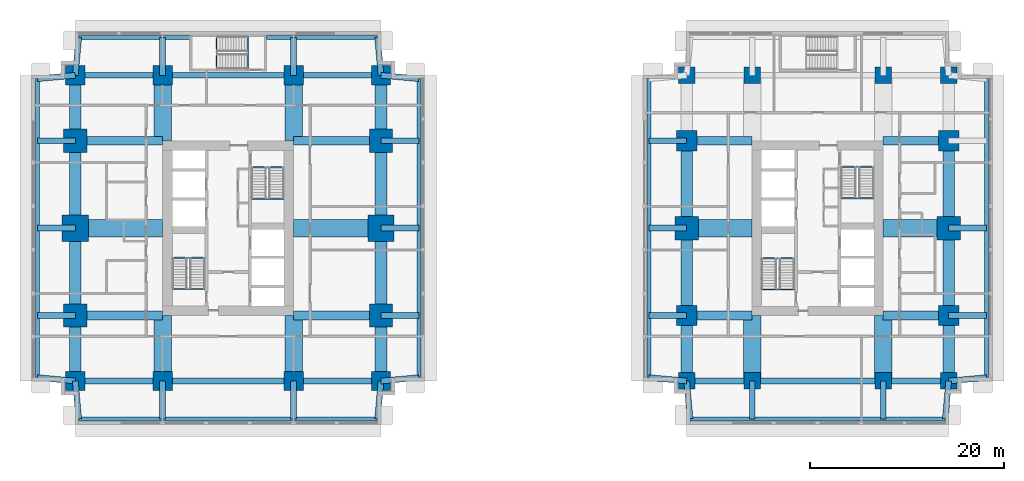
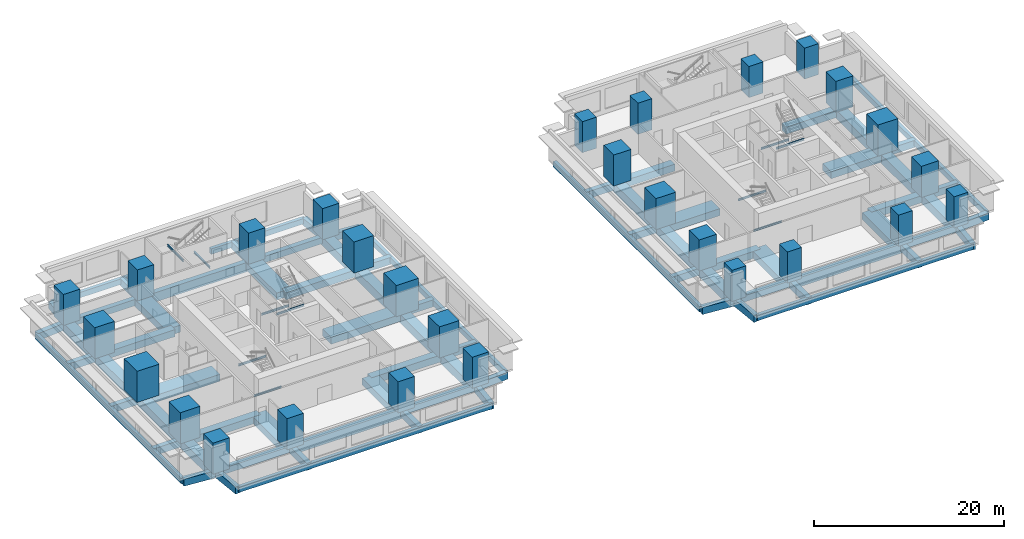
# One storey, part 1 of 11: 88 beams, 28 columns.
"""IFC4 building model written with IfcOpenShell, lengths in metres."""

from ifc_helpers import new_model, si_unit, direction, frame, origin, origin_2d, place, context, subcontext, project, spatial, rectangle, i_section, extrude, material, material_profile, profile_set, type_object, element, save


model = new_model("IFC4")

# Units and contexts
model_context = context("Model", 3, precision=1e-05, world=origin(), true_north=direction((0.0, 1.0)))
body_context = subcontext(model_context, "Body", "Model", "MODEL_VIEW")
ifc_project = project(units=[si_unit("LENGTHUNIT", "METRE"), si_unit("AREAUNIT", "SQUARE_METRE"), si_unit("VOLUMEUNIT", "CUBIC_METRE"), si_unit("PLANEANGLEUNIT", "RADIAN"), si_unit("MASSUNIT", "GRAM", prefix="KILO")], contexts=[model_context])

# Site, building, storey
site_placement = place(None, origin())
site = spatial("IfcSite", under=ifc_project, at=site_placement, CompositionType="ELEMENT")
building_placement = place(site_placement, origin())
building = spatial("IfcBuilding", under=site, at=building_placement, Name="Namib Vertical Campus", CompositionType="ELEMENT")
storey_placement = place(building_placement, frame((0.0, 0.0, 49.0)))
storey = spatial("IfcBuildingStorey", under=building, at=storey_placement, Name="L11", CompositionType="ELEMENT", Elevation=49.0)

# Columns
ifc_material_1 = material(Name="Concrete C60/75", Category="concrete")
ifc_material_profile_1 = material_profile(ifc_material_1, rectangle(XDim=1.699951171875, YDim=1.699951171875, at=origin_2d()))
ifc_profile_set_1 = profile_set([ifc_material_profile_1], Name="Concrete C60/75")
column_type_1 = type_object("IfcColumnType", Name="Column RC 1700x1700", PredefinedType="COLUMN", material=ifc_profile_set_1)
for number, where, z_axis, x_axis, name in (
    (1, (67.5, 4.5, 0.0), (0.0, 0.0, 1.0), (1.0, 0.0, 0.0), "Column C170 L11"),
    (2, (74.25, 4.5, 0.0), (0.0, 0.0, 1.0), (1.0, 0.0, 0.0), "Column C170 L11"),
    (3, (87.75, 4.5, 0.0), (0.0, 0.0, 1.0), (1.0, 0.0, 0.0), "Column C170 L11"),
    (4, (94.5, 4.5, 0.0), (0.0, 0.0, 1.0), (1.0, 0.0, 0.0), "Column C170 L11"),
    (5, (67.5, 36.0, 0.0), (0.0, 0.0, 1.0), (1.0, 0.0, 0.0), "Column C170 L11"),
    (6, (74.25, 36.0, 0.0), (0.0, 0.0, 1.0), (1.0, 0.0, 0.0), "Column C170 L11"),
    (7, (87.75, 36.0, 0.0), (0.0, 0.0, 1.0), (1.0, 0.0, 0.0), "Column C170 L11"),
    (8, (94.5, 36.0, 0.0), (0.0, 0.0, 1.0), (1.0, 0.0, 0.0), "Column C170 L11"),
):
    element("IfcColumn", number, at=place(storey_placement, frame(where, z_axis=z_axis, x_axis=x_axis)), inside=storey, type_object=column_type_1, Name=name, PredefinedType="COLUMN", context=body_context, shape_type="SweptSolid", body=[
        extrude(rectangle(XDim=1.699951171875, YDim=1.699951171875, at=origin_2d()), origin(), (0.0, 0.0, 1.0), 4.0),
    ])
ifc_material_2 = material(Name="Concrete C60/75", Category="concrete")
ifc_material_profile_2 = material_profile(ifc_material_2, rectangle(XDim=2.0, YDim=2.0, at=origin_2d()))
ifc_profile_set_2 = profile_set([ifc_material_profile_2], Name="Concrete C60/75")
column_type_2 = type_object("IfcColumnType", Name="Column RC 2000x2000", PredefinedType="COLUMN", material=ifc_profile_set_2)
for number, where, z_axis, x_axis, name in (
    (9, (4.5, 4.5, 0.0), (0.0, 0.0, 1.0), (1.0, 0.0, 0.0), "Column C200 L11"),
    (10, (13.5, 4.5, 0.0), (0.0, 0.0, 1.0), (1.0, 0.0, 0.0), "Column C200 L11"),
    (11, (27.0, 4.5, 0.0), (0.0, 0.0, 1.0), (1.0, 0.0, 0.0), "Column C200 L11"),
    (12, (36.0, 4.5, 0.0), (0.0, 0.0, 1.0), (1.0, 0.0, 0.0), "Column C200 L11"),
    (13, (4.5, 36.0, 0.0), (0.0, 0.0, 1.0), (1.0, 0.0, 0.0), "Column C200 L11"),
    (14, (13.5, 36.0, 0.0), (0.0, 0.0, 1.0), (1.0, 0.0, 0.0), "Column C200 L11"),
    (15, (27.0, 36.0, 0.0), (0.0, 0.0, 1.0), (1.0, 0.0, 0.0), "Column C200 L11"),
    (16, (36.0, 36.0, 0.0), (0.0, 0.0, 1.0), (1.0, 0.0, 0.0), "Column C200 L11"),
):
    element("IfcColumn", number, at=place(storey_placement, frame(where, z_axis=z_axis, x_axis=x_axis)), inside=storey, type_object=column_type_2, Name=name, PredefinedType="COLUMN", context=body_context, shape_type="SweptSolid", body=[
        extrude(rectangle(XDim=2.0, YDim=2.0, at=origin_2d()), origin(), (0.0, 0.0, 1.0), 4.0),
    ])
ifc_material_3 = material(Name="Concrete C60/75", Category="concrete")
ifc_material_profile_3 = material_profile(ifc_material_3, rectangle(XDim=2.10009765625, YDim=2.10009765625, at=origin_2d()))
ifc_profile_set_3 = profile_set([ifc_material_profile_3], Name="Concrete C60/75")
column_type_3 = type_object("IfcColumnType", Name="Column RC 2100x2100", PredefinedType="COLUMN", material=ifc_profile_set_3)
for number, where, z_axis, x_axis, name in (
    (17, (67.5, 11.25, 0.0), (0.0, 0.0, 1.0), (1.0, 0.0, 0.0), "Column C210 L11"),
    (18, (94.5, 11.25, 0.0), (0.0, 0.0, 1.0), (1.0, 0.0, 0.0), "Column C210 L11"),
    (19, (67.5, 29.25, 0.0), (0.0, 0.0, 1.0), (1.0, 0.0, 0.0), "Column C210 L11"),
    (20, (94.5, 29.25, 0.0), (0.0, 0.0, 1.0), (1.0, 0.0, 0.0), "Column C210 L11"),
):
    element("IfcColumn", number, at=place(storey_placement, frame(where, z_axis=z_axis, x_axis=x_axis)), inside=storey, type_object=column_type_3, Name=name, PredefinedType="COLUMN", context=body_context, shape_type="SweptSolid", body=[
        extrude(rectangle(XDim=2.10009765625, YDim=2.10009765625, at=origin_2d()), origin(), (0.0, 0.0, 1.0), 4.0),
    ])
ifc_material_4 = material(Name="Concrete C60/75", Category="concrete")
ifc_material_profile_4 = material_profile(ifc_material_4, rectangle(XDim=2.39990234375, YDim=2.39990234375, at=origin_2d()))
ifc_profile_set_4 = profile_set([ifc_material_profile_4], Name="Concrete C60/75")
column_type_4 = type_object("IfcColumnType", Name="Column RC 2400x2400", PredefinedType="COLUMN", material=ifc_profile_set_4)
for number, where, z_axis, x_axis, name in (
    (21, (4.5, 11.25, 0.0), (0.0, 0.0, 1.0), (1.0, 0.0, 0.0), "Column C240 L11"),
    (22, (36.0, 11.25, 0.0), (0.0, 0.0, 1.0), (1.0, 0.0, 0.0), "Column C240 L11"),
    (23, (4.5, 29.25, 0.0), (0.0, 0.0, 1.0), (1.0, 0.0, 0.0), "Column C240 L11"),
    (24, (36.0, 29.25, 0.0), (0.0, 0.0, 1.0), (1.0, 0.0, 0.0), "Column C240 L11"),
    (25, (67.5, 20.25, 0.0), (0.0, 0.0, 1.0), (1.0, 0.0, 0.0), "Column C240 L11"),
    (26, (94.5, 20.25, 0.0), (0.0, 0.0, 1.0), (1.0, 0.0, 0.0), "Column C240 L11"),
):
    element("IfcColumn", number, at=place(storey_placement, frame(where, z_axis=z_axis, x_axis=x_axis)), inside=storey, type_object=column_type_4, Name=name, PredefinedType="COLUMN", context=body_context, shape_type="SweptSolid", body=[
        extrude(rectangle(XDim=2.39990234375, YDim=2.39990234375, at=origin_2d()), origin(), (0.0, 0.0, 1.0), 4.0),
    ])
ifc_material_5 = material(Name="Concrete C60/75", Category="concrete")
ifc_material_profile_5 = material_profile(ifc_material_5, rectangle(XDim=2.699951171875, YDim=2.699951171875, at=origin_2d()))
ifc_profile_set_5 = profile_set([ifc_material_profile_5], Name="Concrete C60/75")
column_type_5 = type_object("IfcColumnType", Name="Column RC 2700x2700", PredefinedType="COLUMN", material=ifc_profile_set_5)
for number, where, z_axis, x_axis, name in (
    (27, (4.5, 20.25, 0.0), (0.0, 0.0, 1.0), (1.0, 0.0, 0.0), "Column C270 L11"),
    (28, (36.0, 20.25, 0.0), (0.0, 0.0, 1.0), (1.0, 0.0, 0.0), "Column C270 L11"),
):
    element("IfcColumn", number, at=place(storey_placement, frame(where, z_axis=z_axis, x_axis=x_axis)), inside=storey, type_object=column_type_5, Name=name, PredefinedType="COLUMN", context=body_context, shape_type="SweptSolid", body=[
        extrude(rectangle(XDim=2.699951171875, YDim=2.699951171875, at=origin_2d()), origin(), (0.0, 0.0, 1.0), 4.0),
    ])

# Beams
ifc_material_6 = material(Name="Concrete C40/50", Category="concrete")
ifc_material_profile_6 = material_profile(ifc_material_6, rectangle(XDim=0.60009765625, YDim=0.89990234375, at=origin_2d()))
ifc_profile_set_6 = profile_set([ifc_material_profile_6], Name="Concrete C40/50")
beam_type_1 = type_object("IfcBeamType", Name="Cantilever girder RC 600x900", PredefinedType="BEAM", material=ifc_profile_set_6)
beam_1_placement = place(storey_placement, frame((4.5, 4.5, -0.699951171875), z_axis=(0.089411326146, -0.995994786511, 0.0), x_axis=(0.995994786511, 0.089411326146, 0.0)))
element("IfcBeam", 29, at=beam_1_placement, inside=storey, type_object=beam_type_1, Name="Beam B3 L11", PredefinedType="BEAM", context=body_context, shape_type="SweptSolid", body=[
    extrude(rectangle(XDim=0.60009765625, YDim=0.89990234375, at=origin_2d()), origin(), (0.0, 0.0, 1.0), 3.91552734375),
])
for number, where, z_axis, x_axis, name in (
    (30, (13.5, 4.5, -0.699951171875), (0.0, -1.0, 0.0), (1.0, 0.0, 0.0), "Beam B3 L11"),
    (31, (27.0, 4.5, -0.699951171875), (0.0, -1.0, 0.0), (1.0, 0.0, 0.0), "Beam B3 L11"),
):
    element("IfcBeam", number, at=place(storey_placement, frame(where, z_axis=z_axis, x_axis=x_axis)), inside=storey, type_object=beam_type_1, Name=name, PredefinedType="BEAM", context=body_context, shape_type="SweptSolid", body=[
        extrude(rectangle(XDim=0.60009765625, YDim=0.89990234375, at=origin_2d()), origin(), (0.0, 0.0, 1.0), 3.89990234375),
    ])
for number, where, z_axis, x_axis, name in (
    (32, (36.0, 4.5, -0.699951171875), (-0.089411326146, -0.995994786511, 0.0), (0.995994786511, -0.089411326146, 0.0), "Beam B3 L11"),
    (33, (4.5, 36.0, -0.699951171875), (0.089411326146, 0.995994786511, 0.0), (-0.995994786511, 0.089411326146, 0.0), "Beam B3 L11"),
):
    element("IfcBeam", number, at=place(storey_placement, frame(where, z_axis=z_axis, x_axis=x_axis)), inside=storey, type_object=beam_type_1, Name=name, PredefinedType="BEAM", context=body_context, shape_type="SweptSolid", body=[
        extrude(rectangle(XDim=0.60009765625, YDim=0.89990234375, at=origin_2d()), origin(), (0.0, 0.0, 1.0), 3.91552734375),
    ])
for number, where, z_axis, x_axis, name in (
    (34, (13.5, 36.0, -0.699951171875), (0.0, 1.0, 0.0), (-1.0, 0.0, 0.0), "Beam B3 L11"),
    (35, (27.0, 36.0, -0.699951171875), (0.0, 1.0, 0.0), (-1.0, 0.0, 0.0), "Beam B3 L11"),
):
    element("IfcBeam", number, at=place(storey_placement, frame(where, z_axis=z_axis, x_axis=x_axis)), inside=storey, type_object=beam_type_1, Name=name, PredefinedType="BEAM", context=body_context, shape_type="SweptSolid", body=[
        extrude(rectangle(XDim=0.60009765625, YDim=0.89990234375, at=origin_2d()), origin(), (0.0, 0.0, 1.0), 3.89990234375),
    ])
for number, where, z_axis, x_axis, name in (
    (36, (36.0, 36.0, -0.699951171875), (-0.089411326146, 0.995994786511, 0.0), (-0.995994786511, -0.089411326146, 0.0), "Beam B3 L11"),
    (37, (4.5, 4.5, -0.699951171875), (-0.995994786511, 0.089411326146, 0.0), (-0.089411326146, -0.995994786511, 0.0), "Beam B3 L11"),
):
    element("IfcBeam", number, at=place(storey_placement, frame(where, z_axis=z_axis, x_axis=x_axis)), inside=storey, type_object=beam_type_1, Name=name, PredefinedType="BEAM", context=body_context, shape_type="SweptSolid", body=[
        extrude(rectangle(XDim=0.60009765625, YDim=0.89990234375, at=origin_2d()), origin(), (0.0, 0.0, 1.0), 3.91552734375),
    ])
for number, where, z_axis, x_axis, name in (
    (38, (4.5, 11.25, -0.699951171875), (-1.0, 0.0, 0.0), (0.0, -1.0, 0.0), "Beam B3 L11"),
    (39, (4.5, 20.25, -0.699951171875), (-1.0, 0.0, 0.0), (0.0, -1.0, 0.0), "Beam B3 L11"),
    (40, (4.5, 29.25, -0.699951171875), (-1.0, 0.0, 0.0), (0.0, -1.0, 0.0), "Beam B3 L11"),
):
    element("IfcBeam", number, at=place(storey_placement, frame(where, z_axis=z_axis, x_axis=x_axis)), inside=storey, type_object=beam_type_1, Name=name, PredefinedType="BEAM", context=body_context, shape_type="SweptSolid", body=[
        extrude(rectangle(XDim=0.60009765625, YDim=0.89990234375, at=origin_2d()), origin(), (0.0, 0.0, 1.0), 3.89990234375),
    ])
for number, where, z_axis, x_axis, name in (
    (41, (4.5, 36.0, -0.699951171875), (-0.995994786511, -0.089411326146, 0.0), (0.089411326146, -0.995994786511, 0.0), "Beam B3 L11"),
    (42, (36.0, 4.5, -0.699951171875), (0.995994786511, 0.089411326146, 0.0), (-0.089411326146, 0.995994786511, 0.0), "Beam B3 L11"),
):
    element("IfcBeam", number, at=place(storey_placement, frame(where, z_axis=z_axis, x_axis=x_axis)), inside=storey, type_object=beam_type_1, Name=name, PredefinedType="BEAM", context=body_context, shape_type="SweptSolid", body=[
        extrude(rectangle(XDim=0.60009765625, YDim=0.89990234375, at=origin_2d()), origin(), (0.0, 0.0, 1.0), 3.91552734375),
    ])
for number, where, z_axis, x_axis, name in (
    (43, (36.0, 11.25, -0.699951171875), (1.0, 0.0, 0.0), (0.0, 1.0, 0.0), "Beam B3 L11"),
    (44, (36.0, 20.25, -0.699951171875), (1.0, 0.0, 0.0), (0.0, 1.0, 0.0), "Beam B3 L11"),
    (45, (36.0, 29.25, -0.699951171875), (1.0, 0.0, 0.0), (0.0, 1.0, 0.0), "Beam B3 L11"),
):
    element("IfcBeam", number, at=place(storey_placement, frame(where, z_axis=z_axis, x_axis=x_axis)), inside=storey, type_object=beam_type_1, Name=name, PredefinedType="BEAM", context=body_context, shape_type="SweptSolid", body=[
        extrude(rectangle(XDim=0.60009765625, YDim=0.89990234375, at=origin_2d()), origin(), (0.0, 0.0, 1.0), 3.89990234375),
    ])
for number, where, z_axis, x_axis, name in (
    (46, (36.0, 36.0, -0.699951171875), (0.995994786511, -0.089411326146, 0.0), (0.089411326146, 0.995994786511, 0.0), "Beam B3 L11"),
    (47, (67.5, 4.5, -0.699951171875), (0.089411326146, -0.995994786511, 0.0), (0.995994786511, 0.089411326146, 0.0), "Beam B3 L11"),
):
    element("IfcBeam", number, at=place(storey_placement, frame(where, z_axis=z_axis, x_axis=x_axis)), inside=storey, type_object=beam_type_1, Name=name, PredefinedType="BEAM", context=body_context, shape_type="SweptSolid", body=[
        extrude(rectangle(XDim=0.60009765625, YDim=0.89990234375, at=origin_2d()), origin(), (0.0, 0.0, 1.0), 3.91552734375),
    ])
for number, where, z_axis, x_axis, name in (
    (48, (74.25, 4.5, -0.699951171875), (0.0, -1.0, 0.0), (1.0, 0.0, 0.0), "Beam B3 L11"),
    (49, (87.75, 4.5, -0.699951171875), (0.0, -1.0, 0.0), (1.0, 0.0, 0.0), "Beam B3 L11"),
):
    element("IfcBeam", number, at=place(storey_placement, frame(where, z_axis=z_axis, x_axis=x_axis)), inside=storey, type_object=beam_type_1, Name=name, PredefinedType="BEAM", context=body_context, shape_type="SweptSolid", body=[
        extrude(rectangle(XDim=0.60009765625, YDim=0.89990234375, at=origin_2d()), origin(), (0.0, 0.0, 1.0), 3.89990234375),
    ])
for number, where, z_axis, x_axis, name in (
    (50, (94.5, 4.5, -0.699951171875), (-0.089411326146, -0.995994786511, 0.0), (0.995994786511, -0.089411326146, 0.0), "Beam B3 L11"),
    (51, (67.5, 4.5, -0.699951171875), (-0.995994786511, 0.089411326146, 0.0), (-0.089411326146, -0.995994786511, 0.0), "Beam B3 L11"),
):
    element("IfcBeam", number, at=place(storey_placement, frame(where, z_axis=z_axis, x_axis=x_axis)), inside=storey, type_object=beam_type_1, Name=name, PredefinedType="BEAM", context=body_context, shape_type="SweptSolid", body=[
        extrude(rectangle(XDim=0.60009765625, YDim=0.89990234375, at=origin_2d()), origin(), (0.0, 0.0, 1.0), 3.91552734375),
    ])
for number, where, z_axis, x_axis, name in (
    (52, (67.5, 11.25, -0.699951171875), (-1.0, 0.0, 0.0), (0.0, -1.0, 0.0), "Beam B3 L11"),
    (53, (67.5, 20.25, -0.699951171875), (-1.0, 0.0, 0.0), (0.0, -1.0, 0.0), "Beam B3 L11"),
    (54, (67.5, 29.25, -0.699951171875), (-1.0, 0.0, 0.0), (0.0, -1.0, 0.0), "Beam B3 L11"),
):
    element("IfcBeam", number, at=place(storey_placement, frame(where, z_axis=z_axis, x_axis=x_axis)), inside=storey, type_object=beam_type_1, Name=name, PredefinedType="BEAM", context=body_context, shape_type="SweptSolid", body=[
        extrude(rectangle(XDim=0.60009765625, YDim=0.89990234375, at=origin_2d()), origin(), (0.0, 0.0, 1.0), 3.89990234375),
    ])
beam_2_placement = place(storey_placement, frame((94.5, 4.5, -0.699951171875), z_axis=(0.995994786511, 0.089411326146, 0.0), x_axis=(-0.089411326146, 0.995994786511, 0.0)))
element("IfcBeam", 55, at=beam_2_placement, inside=storey, type_object=beam_type_1, Name="Beam B3 L11", PredefinedType="BEAM", context=body_context, shape_type="SweptSolid", body=[
    extrude(rectangle(XDim=0.60009765625, YDim=0.89990234375, at=origin_2d()), origin(), (0.0, 0.0, 1.0), 3.91552734375),
])
for number, where, z_axis, x_axis, name in (
    (56, (94.5, 11.25, -0.699951171875), (1.0, 0.0, 0.0), (0.0, 1.0, 0.0), "Beam B3 L11"),
    (57, (94.5, 20.25, -0.699951171875), (1.0, 0.0, 0.0), (0.0, 1.0, 0.0), "Beam B3 L11"),
):
    element("IfcBeam", number, at=place(storey_placement, frame(where, z_axis=z_axis, x_axis=x_axis)), inside=storey, type_object=beam_type_1, Name=name, PredefinedType="BEAM", context=body_context, shape_type="SweptSolid", body=[
        extrude(rectangle(XDim=0.60009765625, YDim=0.89990234375, at=origin_2d()), origin(), (0.0, 0.0, 1.0), 3.89990234375),
    ])
ifc_material_7 = material(Name="Concrete C40/50", Category="concrete")
ifc_material_profile_7 = material_profile(ifc_material_7, rectangle(XDim=0.39990234375, YDim=0.699951171875, at=origin_2d()))
ifc_profile_set_7 = profile_set([ifc_material_profile_7], Name="Concrete C40/50")
beam_type_2 = type_object("IfcBeamType", Name="Edge beam RC 400x700", PredefinedType="SPANDREL", material=ifc_profile_set_7)
beam_3_placement = place(storey_placement, frame((4.85009765625, 0.60009765625, -0.60009765625), z_axis=(1.0, 0.0, 0.0), x_axis=(0.0, 1.0, 0.0)))
element("IfcBeam", 58, at=beam_3_placement, inside=storey, type_object=beam_type_2, Name="Beam B4 L11", PredefinedType="SPANDREL", context=body_context, shape_type="SweptSolid", body=[
    extrude(rectangle(XDim=0.39990234375, YDim=0.699951171875, at=origin_2d()), origin(), (0.0, 0.0, 1.0), 30.7998046875),
])
for number, where, z_axis, x_axis, name in (
    (59, (4.85009765625, 39.89990234375, -0.60009765625), (1.0, 0.0, 0.0), (0.0, 1.0, 0.0), "Beam B4 L11"),
    (60, (24.199951171875, 39.89990234375, -0.60009765625), (1.0, 0.0, 0.0), (0.0, 1.0, 0.0), "Beam B4 L11"),
):
    element("IfcBeam", number, at=place(storey_placement, frame(where, z_axis=z_axis, x_axis=x_axis)), inside=storey, type_object=beam_type_2, Name=name, PredefinedType="SPANDREL", context=body_context, shape_type="SweptSolid", body=[
        extrude(rectangle(XDim=0.39990234375, YDim=0.699951171875, at=origin_2d()), origin(), (0.0, 0.0, 1.0), 11.449951171875),
    ])
for number, where, z_axis, x_axis, name in (
    (61, (0.60009765625, 4.85009765625, -0.60009765625), (0.0, 1.0, 0.0), (-1.0, 0.0, 0.0), "Beam B4 L11"),
    (62, (39.89990234375, 4.85009765625, -0.60009765625), (0.0, 1.0, 0.0), (-1.0, 0.0, 0.0), "Beam B4 L11"),
):
    element("IfcBeam", number, at=place(storey_placement, frame(where, z_axis=z_axis, x_axis=x_axis)), inside=storey, type_object=beam_type_2, Name=name, PredefinedType="SPANDREL", context=body_context, shape_type="SweptSolid", body=[
        extrude(rectangle(XDim=0.39990234375, YDim=0.699951171875, at=origin_2d()), origin(), (0.0, 0.0, 1.0), 30.7998046875),
    ])
beam_4_placement = place(storey_placement, frame((67.85009765625, 0.60009765625, -0.60009765625), z_axis=(1.0, 0.0, 0.0), x_axis=(0.0, 1.0, 0.0)))
element("IfcBeam", 63, at=beam_4_placement, inside=storey, type_object=beam_type_2, Name="Beam B4 L11", PredefinedType="SPANDREL", context=body_context, shape_type="SweptSolid", body=[
    extrude(rectangle(XDim=0.39990234375, YDim=0.699951171875, at=origin_2d()), origin(), (0.0, 0.0, 1.0), 26.2998046875),
])
for number, where, z_axis, x_axis, name in (
    (64, (63.60009765625, 4.85009765625, -0.60009765625), (0.0, 1.0, 0.0), (-1.0, 0.0, 0.0), "Beam B4 L11"),
    (65, (98.39990234375, 4.85009765625, -0.60009765625), (0.0, 1.0, 0.0), (-1.0, 0.0, 0.0), "Beam B4 L11"),
):
    element("IfcBeam", number, at=place(storey_placement, frame(where, z_axis=z_axis, x_axis=x_axis)), inside=storey, type_object=beam_type_2, Name=name, PredefinedType="SPANDREL", context=body_context, shape_type="SweptSolid", body=[
        extrude(rectangle(XDim=0.39990234375, YDim=0.699951171875, at=origin_2d()), origin(), (0.0, 0.0, 1.0), 30.7998046875),
    ])
ifc_material_8 = material(Name="Concrete C40/50", Category="concrete")
ifc_material_profile_8 = material_profile(ifc_material_8, rectangle(XDim=0.89990234375, YDim=0.89990234375, at=origin_2d()))
ifc_profile_set_8 = profile_set([ifc_material_profile_8], Name="Concrete C40/50")
beam_type_3 = type_object("IfcBeamType", Name="Face girder RC 900x900", PredefinedType="BEAM", material=ifc_profile_set_8)
for number, where, z_axis, x_axis, name in (
    (66, (4.5, 11.25, -0.699951171875), (1.0, 0.0, 0.0), (0.0, 1.0, 0.0), "Beam B10 L11"),
    (67, (36.0, 11.25, -0.699951171875), (-1.0, 0.0, 0.0), (0.0, -1.0, 0.0), "Beam B10 L11"),
    (68, (4.5, 29.25, -0.699951171875), (1.0, 0.0, 0.0), (0.0, 1.0, 0.0), "Beam B10 L11"),
    (69, (36.0, 29.25, -0.699951171875), (-1.0, 0.0, 0.0), (0.0, -1.0, 0.0), "Beam B10 L11"),
):
    element("IfcBeam", number, at=place(storey_placement, frame(where, z_axis=z_axis, x_axis=x_axis)), inside=storey, type_object=beam_type_3, Name=name, PredefinedType="BEAM", context=body_context, shape_type="SweptSolid", body=[
        extrude(rectangle(XDim=0.89990234375, YDim=0.89990234375, at=origin_2d()), origin(), (0.0, 0.0, 1.0), 9.0),
    ])
for number, where, z_axis, x_axis, name in (
    (70, (67.5, 11.25, -0.699951171875), (1.0, 0.0, 0.0), (0.0, 1.0, 0.0), "Beam B10 L11"),
    (71, (94.5, 11.25, -0.699951171875), (-1.0, 0.0, 0.0), (0.0, -1.0, 0.0), "Beam B10 L11"),
    (72, (67.5, 29.25, -0.699951171875), (1.0, 0.0, 0.0), (0.0, 1.0, 0.0), "Beam B10 L11"),
    (73, (94.5, 29.25, -0.699951171875), (-1.0, 0.0, 0.0), (0.0, -1.0, 0.0), "Beam B10 L11"),
):
    element("IfcBeam", number, at=place(storey_placement, frame(where, z_axis=z_axis, x_axis=x_axis)), inside=storey, type_object=beam_type_3, Name=name, PredefinedType="BEAM", context=body_context, shape_type="SweptSolid", body=[
        extrude(rectangle(XDim=0.89990234375, YDim=0.89990234375, at=origin_2d()), origin(), (0.0, 0.0, 1.0), 6.75),
    ])
ifc_material_9 = material(Name="Concrete C40/50", Category="concrete")
ifc_material_profile_9 = material_profile(ifc_material_9, rectangle(XDim=1.199951171875, YDim=1.10009765625, at=origin_2d()))
ifc_profile_set_9 = profile_set([ifc_material_profile_9], Name="Concrete C40/50")
beam_type_4 = type_object("IfcBeamType", Name="Face ring beam RC 1200x1100", PredefinedType="BEAM", material=ifc_profile_set_9)
beam_5_placement = place(storey_placement, frame((4.5, 4.5, -0.800048828125), z_axis=(0.0, 1.0, 0.0), x_axis=(-1.0, 0.0, 0.0)))
element("IfcBeam", 74, at=beam_5_placement, inside=storey, type_object=beam_type_4, Name="Beam B11 L11", PredefinedType="BEAM", context=body_context, shape_type="SweptSolid", body=[
    extrude(rectangle(XDim=1.199951171875, YDim=1.10009765625, at=origin_2d()), origin(), (0.0, 0.0, 1.0), 6.75),
])
for number, where, z_axis, x_axis, name in (
    (75, (4.5, 11.25, -0.800048828125), (0.0, 1.0, 0.0), (-1.0, 0.0, 0.0), "Beam B11 L11"),
    (76, (4.5, 20.25, -0.800048828125), (0.0, 1.0, 0.0), (-1.0, 0.0, 0.0), "Beam B11 L11"),
):
    element("IfcBeam", number, at=place(storey_placement, frame(where, z_axis=z_axis, x_axis=x_axis)), inside=storey, type_object=beam_type_4, Name=name, PredefinedType="BEAM", context=body_context, shape_type="SweptSolid", body=[
        extrude(rectangle(XDim=1.199951171875, YDim=1.10009765625, at=origin_2d()), origin(), (0.0, 0.0, 1.0), 9.0),
    ])
for number, where, z_axis, x_axis, name in (
    (77, (4.5, 29.25, -0.800048828125), (0.0, 1.0, 0.0), (-1.0, 0.0, 0.0), "Beam B11 L11"),
    (78, (36.0, 4.5, -0.800048828125), (0.0, 1.0, 0.0), (-1.0, 0.0, 0.0), "Beam B11 L11"),
):
    element("IfcBeam", number, at=place(storey_placement, frame(where, z_axis=z_axis, x_axis=x_axis)), inside=storey, type_object=beam_type_4, Name=name, PredefinedType="BEAM", context=body_context, shape_type="SweptSolid", body=[
        extrude(rectangle(XDim=1.199951171875, YDim=1.10009765625, at=origin_2d()), origin(), (0.0, 0.0, 1.0), 6.75),
    ])
for number, where, z_axis, x_axis, name in (
    (79, (36.0, 11.25, -0.800048828125), (0.0, 1.0, 0.0), (-1.0, 0.0, 0.0), "Beam B11 L11"),
    (80, (36.0, 20.25, -0.800048828125), (0.0, 1.0, 0.0), (-1.0, 0.0, 0.0), "Beam B11 L11"),
):
    element("IfcBeam", number, at=place(storey_placement, frame(where, z_axis=z_axis, x_axis=x_axis)), inside=storey, type_object=beam_type_4, Name=name, PredefinedType="BEAM", context=body_context, shape_type="SweptSolid", body=[
        extrude(rectangle(XDim=1.199951171875, YDim=1.10009765625, at=origin_2d()), origin(), (0.0, 0.0, 1.0), 9.0),
    ])
for number, where, z_axis, x_axis, name in (
    (81, (36.0, 29.25, -0.800048828125), (0.0, 1.0, 0.0), (-1.0, 0.0, 0.0), "Beam B11 L11"),
    (82, (67.5, 4.5, -0.800048828125), (0.0, 1.0, 0.0), (-1.0, 0.0, 0.0), "Beam B11 L11"),
):
    element("IfcBeam", number, at=place(storey_placement, frame(where, z_axis=z_axis, x_axis=x_axis)), inside=storey, type_object=beam_type_4, Name=name, PredefinedType="BEAM", context=body_context, shape_type="SweptSolid", body=[
        extrude(rectangle(XDim=1.199951171875, YDim=1.10009765625, at=origin_2d()), origin(), (0.0, 0.0, 1.0), 6.75),
    ])
for number, where, z_axis, x_axis, name in (
    (83, (67.5, 11.25, -0.800048828125), (0.0, 1.0, 0.0), (-1.0, 0.0, 0.0), "Beam B11 L11"),
    (84, (67.5, 20.25, -0.800048828125), (0.0, 1.0, 0.0), (-1.0, 0.0, 0.0), "Beam B11 L11"),
):
    element("IfcBeam", number, at=place(storey_placement, frame(where, z_axis=z_axis, x_axis=x_axis)), inside=storey, type_object=beam_type_4, Name=name, PredefinedType="BEAM", context=body_context, shape_type="SweptSolid", body=[
        extrude(rectangle(XDim=1.199951171875, YDim=1.10009765625, at=origin_2d()), origin(), (0.0, 0.0, 1.0), 9.0),
    ])
beam_6_placement = place(storey_placement, frame((94.5, 4.5, -0.800048828125), z_axis=(0.0, 1.0, 0.0), x_axis=(-1.0, 0.0, 0.0)))
element("IfcBeam", 85, at=beam_6_placement, inside=storey, type_object=beam_type_4, Name="Beam B11 L11", PredefinedType="BEAM", context=body_context, shape_type="SweptSolid", body=[
    extrude(rectangle(XDim=1.199951171875, YDim=1.10009765625, at=origin_2d()), origin(), (0.0, 0.0, 1.0), 6.75),
])
for number, where, z_axis, x_axis, name in (
    (86, (94.5, 11.25, -0.800048828125), (0.0, 1.0, 0.0), (-1.0, 0.0, 0.0), "Beam B11 L11"),
    (87, (94.5, 20.25, -0.800048828125), (0.0, 1.0, 0.0), (-1.0, 0.0, 0.0), "Beam B11 L11"),
):
    element("IfcBeam", number, at=place(storey_placement, frame(where, z_axis=z_axis, x_axis=x_axis)), inside=storey, type_object=beam_type_4, Name=name, PredefinedType="BEAM", context=body_context, shape_type="SweptSolid", body=[
        extrude(rectangle(XDim=1.199951171875, YDim=1.10009765625, at=origin_2d()), origin(), (0.0, 0.0, 1.0), 9.0),
    ])
ifc_material_10 = material(Name="Steel S355JR", Category="steel")
ifc_material_profile_10 = material_profile(ifc_material_10, i_section(OverallWidth=0.14599609375, OverallDepth=0.25146484375, WebThickness=0.006103515625, FlangeThickness=0.008544921875, FilletRadius=0.007568359375, at=origin_2d()))
ifc_profile_set_10 = profile_set([ifc_material_profile_10], Name="Steel S355JR")
beam_type_5 = type_object("IfcBeamType", Name="Landing trimmer UB 254x146x31", PredefinedType="BEAM", material=ifc_profile_set_10)
for number, where, z_axis, x_axis, name in (
    (88, (14.5, 13.97705078125, -0.125732421875), (1.0, 0.0, 0.0), (0.0, 1.0, 0.0), "Landing trimmer LT1 A-S1 L11 1"),
    (89, (14.5, 17.203125, 1.874267578125), (1.0, 0.0, 0.0), (0.0, 1.0, 0.0), "Landing trimmer LT1 A-S1 L11 2"),
    (90, (22.64990234375, 26.52294921875, -0.125732421875), (1.0, 0.0, 0.0), (0.0, 1.0, 0.0), "Landing trimmer LT1 A-S2 L11 1"),
    (91, (22.64990234375, 23.296875, 1.874267578125), (1.0, 0.0, 0.0), (0.0, 1.0, 0.0), "Landing trimmer LT1 A-S2 L11 2"),
):
    element("IfcBeam", number, at=place(storey_placement, frame(where, z_axis=z_axis, x_axis=x_axis)), inside=storey, type_object=beam_type_5, Name=name, PredefinedType="BEAM", context=body_context, shape_type="SweptSolid", body=[
        extrude(i_section(OverallWidth=0.14599609375, OverallDepth=0.25146484375, WebThickness=0.006103515625, FlangeThickness=0.008544921875, FilletRadius=0.007568359375, at=origin_2d()), origin(), (0.0, 0.0, 1.0), 3.35009765625),
    ])
for number, where, z_axis, x_axis, name in (
    (92, (75.199951171875, 13.927001953125, -0.125732421875), (1.0, 0.0, 0.0), (0.0, 1.0, 0.0), "Landing trimmer LT1 B-S1 L11 1"),
    (93, (75.199951171875, 17.153076171875, 1.874267578125), (1.0, 0.0, 0.0), (0.0, 1.0, 0.0), "Landing trimmer LT1 B-S1 L11 2"),
    (94, (83.39990234375, 26.572998046875, -0.125732421875), (1.0, 0.0, 0.0), (0.0, 1.0, 0.0), "Landing trimmer LT1 B-S2 L11 1"),
    (95, (83.39990234375, 23.346923828125, 1.874267578125), (1.0, 0.0, 0.0), (0.0, 1.0, 0.0), "Landing trimmer LT1 B-S2 L11 2"),
):
    element("IfcBeam", number, at=place(storey_placement, frame(where, z_axis=z_axis, x_axis=x_axis)), inside=storey, type_object=beam_type_5, Name=name, PredefinedType="BEAM", context=body_context, shape_type="SweptSolid", body=[
        extrude(i_section(OverallWidth=0.14599609375, OverallDepth=0.25146484375, WebThickness=0.006103515625, FlangeThickness=0.008544921875, FilletRadius=0.007568359375, at=origin_2d()), origin(), (0.0, 0.0, 1.0), 3.400146484375),
    ])
for number, where, z_axis, x_axis, name in (
    (96, (22.27294921875, 36.64990234375, -0.125732421875), (0.0, 1.0, 0.0), (-1.0, 0.0, 0.0), "Landing trimmer LT1 A-S3 L11 1"),
    (97, (19.046875, 36.64990234375, 1.874267578125), (0.0, 1.0, 0.0), (-1.0, 0.0, 0.0), "Landing trimmer LT1 A-S3 L11 2"),
):
    element("IfcBeam", number, at=place(storey_placement, frame(where, z_axis=z_axis, x_axis=x_axis)), inside=storey, type_object=beam_type_5, Name=name, PredefinedType="BEAM", context=body_context, shape_type="SweptSolid", body=[
        extrude(i_section(OverallWidth=0.14599609375, OverallDepth=0.25146484375, WebThickness=0.006103515625, FlangeThickness=0.008544921875, FilletRadius=0.007568359375, at=origin_2d()), origin(), (0.0, 0.0, 1.0), 3.35009765625),
    ])
ifc_material_11 = material(Name="Concrete C40/50", Category="concrete")
ifc_material_profile_11 = material_profile(ifc_material_11, rectangle(XDim=0.60009765625, YDim=1.199951171875, at=origin_2d()))
ifc_profile_set_11 = profile_set([ifc_material_profile_11], Name="Concrete C40/50")
beam_type_6 = type_object("IfcBeamType", Name="Long-span ring beam RC 600x1200", PredefinedType="BEAM", material=ifc_profile_set_11)
for number, where, z_axis, x_axis, name in (
    (98, (13.5, 4.5, -0.85009765625), (1.0, 0.0, 0.0), (0.0, 1.0, 0.0), "Beam B9 L11"),
    (99, (13.5, 36.0, -0.85009765625), (1.0, 0.0, 0.0), (0.0, 1.0, 0.0), "Beam B9 L11"),
    (100, (74.25, 4.5, -0.85009765625), (1.0, 0.0, 0.0), (0.0, 1.0, 0.0), "Beam B9 L11"),
):
    element("IfcBeam", number, at=place(storey_placement, frame(where, z_axis=z_axis, x_axis=x_axis)), inside=storey, type_object=beam_type_6, Name=name, PredefinedType="BEAM", context=body_context, shape_type="SweptSolid", body=[
        extrude(rectangle(XDim=0.60009765625, YDim=1.199951171875, at=origin_2d()), origin(), (0.0, 0.0, 1.0), 13.5),
    ])
ifc_material_12 = material(Name="Concrete C40/50", Category="concrete")
ifc_material_profile_12 = material_profile(ifc_material_12, rectangle(XDim=1.800048828125, YDim=0.89990234375, at=origin_2d()))
ifc_profile_set_12 = profile_set([ifc_material_profile_12], Name="Concrete C40/50")
beam_type_7 = type_object("IfcBeamType", Name="Outrigger line girder RC 1800x900", PredefinedType="BEAM", material=ifc_profile_set_12)
for number, where, z_axis, x_axis, name in (
    (101, (13.5, 4.5, -0.699951171875), (0.0, 1.0, 0.0), (-1.0, 0.0, 0.0), "Beam B12 L11"),
    (102, (13.5, 36.0, -0.699951171875), (0.0, -1.0, 0.0), (1.0, 0.0, 0.0), "Beam B12 L11"),
    (103, (27.0, 4.5, -0.699951171875), (0.0, 1.0, 0.0), (-1.0, 0.0, 0.0), "Beam B12 L11"),
    (104, (27.0, 36.0, -0.699951171875), (0.0, -1.0, 0.0), (1.0, 0.0, 0.0), "Beam B12 L11"),
):
    element("IfcBeam", number, at=place(storey_placement, frame(where, z_axis=z_axis, x_axis=x_axis)), inside=storey, type_object=beam_type_7, Name=name, PredefinedType="BEAM", context=body_context, shape_type="SweptSolid", body=[
        extrude(rectangle(XDim=1.800048828125, YDim=0.89990234375, at=origin_2d()), origin(), (0.0, 0.0, 1.0), 6.75),
    ])
for number, where, z_axis, x_axis, name in (
    (105, (4.5, 20.25, -0.699951171875), (1.0, 0.0, 0.0), (0.0, 1.0, 0.0), "Beam B12 L11"),
    (106, (36.0, 20.25, -0.699951171875), (-1.0, 0.0, 0.0), (0.0, -1.0, 0.0), "Beam B12 L11"),
):
    element("IfcBeam", number, at=place(storey_placement, frame(where, z_axis=z_axis, x_axis=x_axis)), inside=storey, type_object=beam_type_7, Name=name, PredefinedType="BEAM", context=body_context, shape_type="SweptSolid", body=[
        extrude(rectangle(XDim=1.800048828125, YDim=0.89990234375, at=origin_2d()), origin(), (0.0, 0.0, 1.0), 9.0),
    ])
for number, where, z_axis, x_axis, name in (
    (107, (74.25, 4.5, -0.699951171875), (0.0, 1.0, 0.0), (-1.0, 0.0, 0.0), "Beam B12 L11"),
    (108, (87.75, 4.5, -0.699951171875), (0.0, 1.0, 0.0), (-1.0, 0.0, 0.0), "Beam B12 L11"),
    (109, (67.5, 20.25, -0.699951171875), (1.0, 0.0, 0.0), (0.0, 1.0, 0.0), "Beam B12 L11"),
    (110, (94.5, 20.25, -0.699951171875), (-1.0, 0.0, 0.0), (0.0, -1.0, 0.0), "Beam B12 L11"),
):
    element("IfcBeam", number, at=place(storey_placement, frame(where, z_axis=z_axis, x_axis=x_axis)), inside=storey, type_object=beam_type_7, Name=name, PredefinedType="BEAM", context=body_context, shape_type="SweptSolid", body=[
        extrude(rectangle(XDim=1.800048828125, YDim=0.89990234375, at=origin_2d()), origin(), (0.0, 0.0, 1.0), 6.75),
    ])
ifc_material_13 = material(Name="Concrete C40/50", Category="concrete")
ifc_material_profile_13 = material_profile(ifc_material_13, rectangle(XDim=0.60009765625, YDim=0.800048828125, at=origin_2d()))
ifc_profile_set_13 = profile_set([ifc_material_profile_13], Name="Concrete C40/50")
beam_type_8 = type_object("IfcBeamType", Name="Ring beam RC 600x800", PredefinedType="BEAM", material=ifc_profile_set_13)
for number, where, z_axis, x_axis, name in (
    (111, (4.5, 4.5, -0.64990234375), (1.0, 0.0, 0.0), (0.0, 1.0, 0.0), "Beam B1 L11"),
    (112, (27.0, 4.5, -0.64990234375), (1.0, 0.0, 0.0), (0.0, 1.0, 0.0), "Beam B1 L11"),
    (113, (4.5, 36.0, -0.64990234375), (1.0, 0.0, 0.0), (0.0, 1.0, 0.0), "Beam B1 L11"),
    (114, (27.0, 36.0, -0.64990234375), (1.0, 0.0, 0.0), (0.0, 1.0, 0.0), "Beam B1 L11"),
):
    element("IfcBeam", number, at=place(storey_placement, frame(where, z_axis=z_axis, x_axis=x_axis)), inside=storey, type_object=beam_type_8, Name=name, PredefinedType="BEAM", context=body_context, shape_type="SweptSolid", body=[
        extrude(rectangle(XDim=0.60009765625, YDim=0.800048828125, at=origin_2d()), origin(), (0.0, 0.0, 1.0), 9.0),
    ])
for number, where, z_axis, x_axis, name in (
    (115, (67.5, 4.5, -0.64990234375), (1.0, 0.0, 0.0), (0.0, 1.0, 0.0), "Beam B1 L11"),
    (116, (87.75, 4.5, -0.64990234375), (1.0, 0.0, 0.0), (0.0, 1.0, 0.0), "Beam B1 L11"),
):
    element("IfcBeam", number, at=place(storey_placement, frame(where, z_axis=z_axis, x_axis=x_axis)), inside=storey, type_object=beam_type_8, Name=name, PredefinedType="BEAM", context=body_context, shape_type="SweptSolid", body=[
        extrude(rectangle(XDim=0.60009765625, YDim=0.800048828125, at=origin_2d()), origin(), (0.0, 0.0, 1.0), 6.75),
    ])

save(model, "model.ifc")
